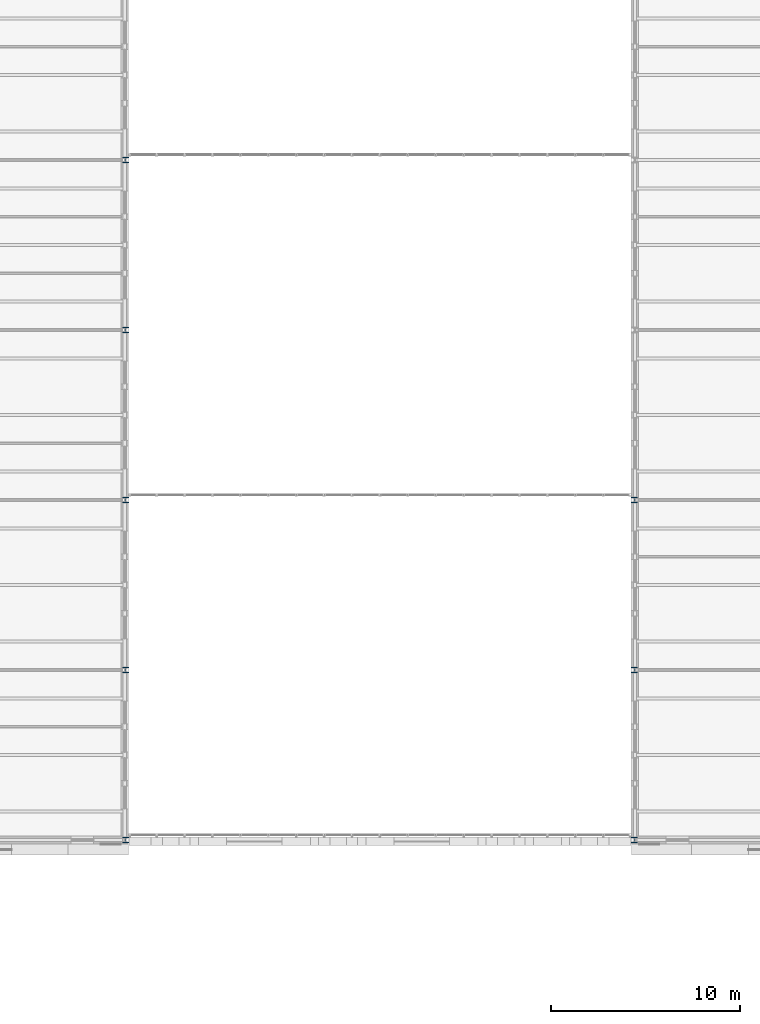
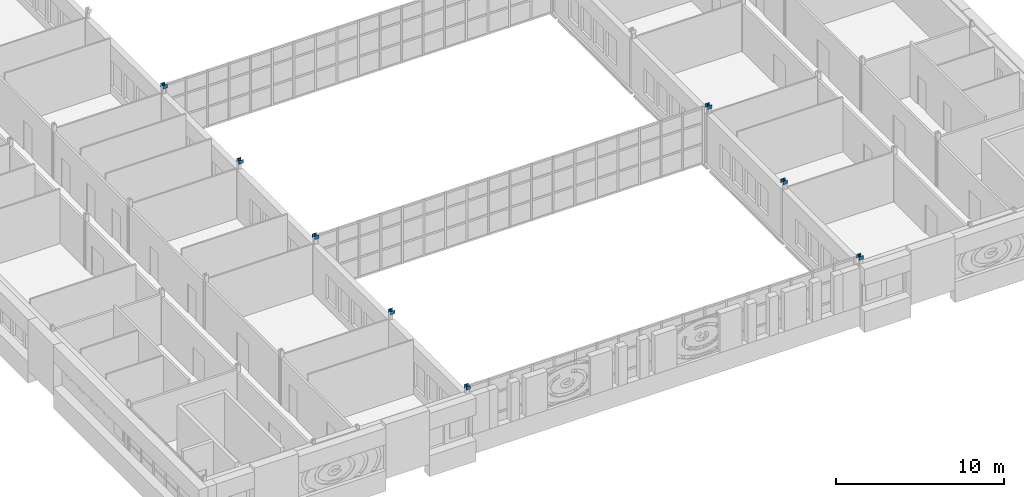
# One storey, part 16 of 154: 8 columns.
"""IFC4 building model written with IfcOpenShell, lengths in metres."""

from ifc_helpers import new_model, si_unit, direction, frame, origin, origin_2d, place, context, subcontext, project, spatial, i_section, extrude, material, material_profile, profile_set, type_object, element, save


model = new_model("IFC4")

# Units and contexts
model_context = context("Model", 3, precision=1e-05, world=origin(), true_north=direction((0.0, 1.0)))
body_context = subcontext(model_context, "Body", "Model", "MODEL_VIEW")
ifc_project = project(units=[si_unit("LENGTHUNIT", "METRE"), si_unit("AREAUNIT", "SQUARE_METRE"), si_unit("VOLUMEUNIT", "CUBIC_METRE"), si_unit("PLANEANGLEUNIT", "RADIAN"), si_unit("MASSUNIT", "GRAM", prefix="KILO")], contexts=[model_context])

# Site, building, storey
site_placement = place(None, origin())
site = spatial("IfcSite", under=ifc_project, at=site_placement, CompositionType="ELEMENT")
building_placement = place(site_placement, origin())
building = spatial("IfcBuilding", under=site, at=building_placement, Name="Golden Quay Civic Hall", CompositionType="ELEMENT")
storey_placement = place(building_placement, frame((0.0, 0.0, 14.39990234375)))
storey = spatial("IfcBuildingStorey", under=building, at=storey_placement, Name="L03", CompositionType="ELEMENT", Elevation=14.39990234375)

# Columns
ifc_material = material(Name="Steel S355", Category="steel")
ifc_material_profile = material_profile(ifc_material, i_section(OverallWidth=0.300048828125, OverallDepth=0.300048828125, WebThickness=0.010986328125, FlangeThickness=0.01904296875, FilletRadius=0.027099609375, at=origin_2d()), Name="HEB 300")
ifc_profile_set = profile_set([ifc_material_profile], Name="Steel S355")
column_type = type_object("IfcColumnType", Name="Steel springing post HEB 300", PredefinedType="COLUMN", material=ifc_profile_set)
for number, where, z_axis, x_axis, name in (
    (1, (72.0400390625, 0.0, 3.9501953125), (0.0, 0.0, 1.0), (1.0, 0.0, 0.0), "Springing post west 0"),
    (2, (72.0400390625, 9.0, 3.9501953125), (0.0, 0.0, 1.0), (1.0, 0.0, 0.0), "Springing post west 9"),
    (3, (72.0400390625, 18.0, 3.9501953125), (0.0, 0.0, 1.0), (1.0, 0.0, 0.0), "Springing post west 18"),
    (4, (72.0400390625, 27.0, 3.9501953125), (0.0, 0.0, 1.0), (1.0, 0.0, 0.0), "Springing post west 27"),
    (5, (72.0400390625, 36.0, 3.9501953125), (0.0, 0.0, 1.0), (1.0, 0.0, 0.0), "Springing post west 36"),
    (6, (98.9599609375, 0.0, 3.9501953125), (0.0, 0.0, 1.0), (1.0, 0.0, 0.0), "Springing post east 0"),
    (7, (98.9599609375, 9.0, 3.9501953125), (0.0, 0.0, 1.0), (1.0, 0.0, 0.0), "Springing post east 9"),
    (8, (98.9599609375, 18.0, 3.9501953125), (0.0, 0.0, 1.0), (1.0, 0.0, 0.0), "Springing post east 18"),
):
    element("IfcColumn", number, at=place(storey_placement, frame(where, z_axis=z_axis, x_axis=x_axis)), inside=storey, type_object=column_type, Name=name, PredefinedType="COLUMN", context=body_context, shape_type="SweptSolid", body=[
        extrude(i_section(OverallWidth=0.300048828125, OverallDepth=0.300048828125, WebThickness=0.010986328125, FlangeThickness=0.01904296875, FilletRadius=0.027099609375, at=origin_2d()), origin(), (0.0, 0.0, 1.0), 0.25),
    ])

save(model, "model.ifc")
